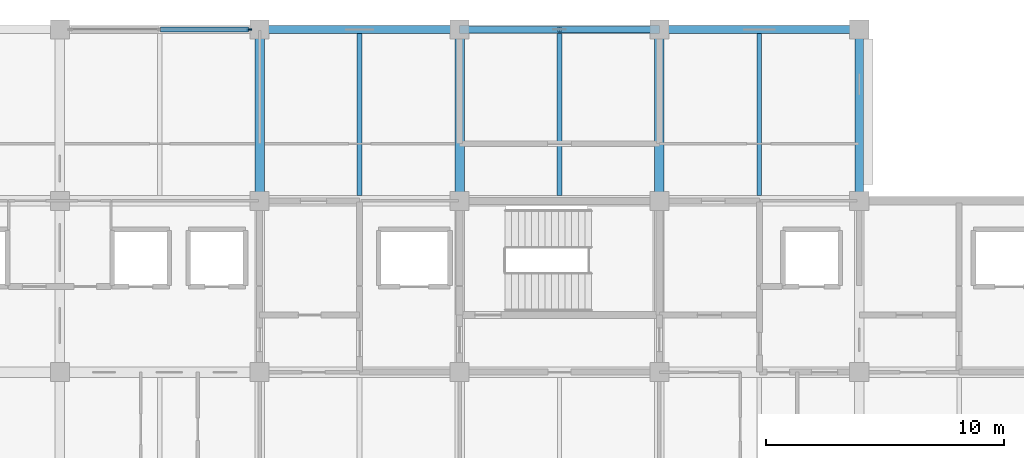
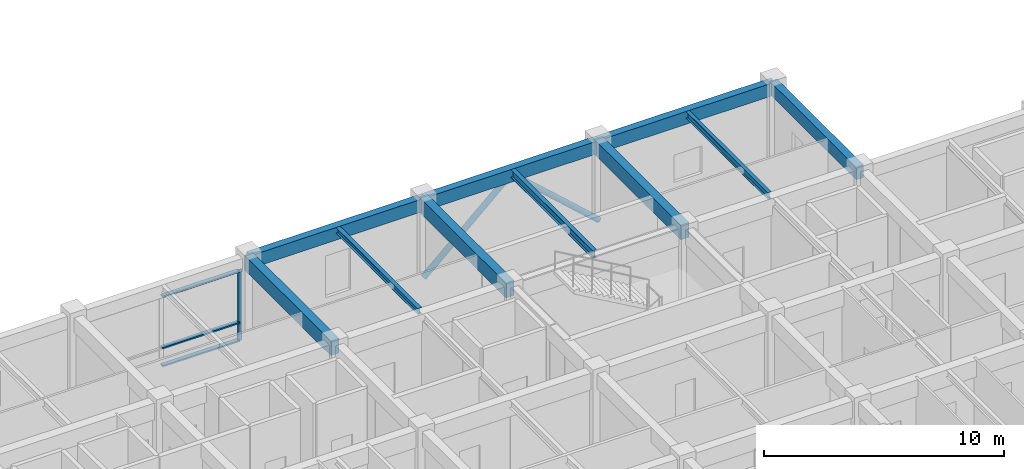
# One storey, part 11 of 30: 10 beams, 6 members, 1 element without a shape of its own.
"""IFC4 building model written with IfcOpenShell, lengths in metres."""

from ifc_helpers import new_model, si_unit, direction, frame, origin, origin_2d, place, context, subcontext, project, spatial, rectangle, hollow_circle, i_section, extrude, material, layer, layer_set, material_profile, profile_set, type_object, element, aggregate, save


model = new_model("IFC4")

# Units and contexts
model_context = context("Model", 3, precision=1e-05, world=origin(), true_north=direction((0.0, 1.0)))
body_context = subcontext(model_context, "Body", "Model", "MODEL_VIEW")
ifc_project = project(units=[si_unit("LENGTHUNIT", "METRE"), si_unit("AREAUNIT", "SQUARE_METRE"), si_unit("VOLUMEUNIT", "CUBIC_METRE"), si_unit("PLANEANGLEUNIT", "RADIAN"), si_unit("MASSUNIT", "GRAM", prefix="KILO")], contexts=[model_context])

# Site, building, storey
site_placement = place(None, origin())
site = spatial("IfcSite", under=ifc_project, at=site_placement, CompositionType="ELEMENT")
building_placement = place(site_placement, origin())
building = spatial("IfcBuilding", under=site, at=building_placement, Name="Chengyuan Square Courthouse", CompositionType="ELEMENT")
storey_placement = place(building_placement, frame((0.0, 0.0, 30.60009765625)))
storey = spatial("IfcBuildingStorey", under=building, at=storey_placement, Name="L07", CompositionType="ELEMENT", Elevation=30.60009765625)

# Beams
ifc_material_1 = material(Name="Concrete C40", Category="concrete")
ifc_material_profile_1 = material_profile(ifc_material_1, rectangle(XDim=0.39990234375, YDim=0.75, at=origin_2d()), Name="RC-BM-400x750")
ifc_profile_set_1 = profile_set([ifc_material_profile_1], Name="Concrete C40")
beam_type_1 = type_object("IfcBeamType", Name="BM-02", PredefinedType="USERDEFINED", material=ifc_profile_set_1)
for number, where, z_axis, x_axis, name in (
    (1, (92.39990234375, 108.0, 3.864990234375), (0.0, 1.0, 0.0), (-1.0, 0.0, 0.0), "Girder BM-L07-3689"),
    (2, (100.800048828125, 108.0, 3.864990234375), (0.0, 1.0, 0.0), (-1.0, 0.0, 0.0), "Girder BM-L07-3694"),
    (3, (109.199951171875, 108.0, 3.864990234375), (0.0, 1.0, 0.0), (-1.0, 0.0, 0.0), "Girder BM-L07-3699"),
):
    element("IfcBeam", number, at=place(storey_placement, frame(where, z_axis=z_axis, x_axis=x_axis)), inside=storey, type_object=beam_type_1, Name=name, ObjectType="GIRDER", PredefinedType="USERDEFINED", context=body_context, shape_type="SweptSolid", body=[
        extrude(rectangle(XDim=0.39990234375, YDim=0.75, at=origin_2d()), origin(), (0.0, 0.0, 1.0), 7.199951171875),
    ])
ifc_material_profile_2 = material_profile(ifc_material_1, rectangle(XDim=0.35009765625, YDim=0.64990234375, at=origin_2d()), Name="RC-BM-350x650")
ifc_profile_set_2 = profile_set([ifc_material_profile_2], Name="Concrete C40")
beam_type_2 = type_object("IfcBeamType", Name="BM-03", PredefinedType="SPANDREL", material=ifc_profile_set_2)
beam_1_placement = place(storey_placement, frame((92.39990234375, 115.199951171875, 3.914794921875), z_axis=(1.0, 0.0, 0.0), x_axis=(0.0, 1.0, 0.0)))
element("IfcBeam", 4, at=beam_1_placement, inside=storey, type_object=beam_type_2, Name="Girder BM-L07-3648", PredefinedType="SPANDREL", context=body_context, shape_type="SweptSolid", body=[
    extrude(rectangle(XDim=0.35009765625, YDim=0.64990234375, at=origin_2d()), origin(), (0.0, 0.0, 1.0), 8.400146484375),
])
beam_2_placement = place(storey_placement, frame((100.800048828125, 115.199951171875, 3.914794921875), z_axis=(1.0, 0.0, 0.0), x_axis=(0.0, 1.0, 0.0)))
element("IfcBeam", 5, at=beam_2_placement, inside=storey, type_object=beam_type_2, Name="Girder BM-L07-3649", PredefinedType="SPANDREL", context=body_context, shape_type="SweptSolid", body=[
    extrude(rectangle(XDim=0.35009765625, YDim=0.64990234375, at=origin_2d()), origin(), (0.0, 0.0, 1.0), 8.39990234375),
])
beam_3_placement = place(storey_placement, frame((109.199951171875, 115.199951171875, 3.914794921875), z_axis=(1.0, 0.0, 0.0), x_axis=(0.0, 1.0, 0.0)))
element("IfcBeam", 6, at=beam_3_placement, inside=storey, type_object=beam_type_2, Name="Girder BM-L07-3650", PredefinedType="SPANDREL", context=body_context, shape_type="SweptSolid", body=[
    extrude(rectangle(XDim=0.35009765625, YDim=0.64990234375, at=origin_2d()), origin(), (0.0, 0.0, 1.0), 8.400146484375),
])
beam_4_placement = place(storey_placement, frame((117.60009765625, 108.0, 3.914794921875), z_axis=(0.0, 1.0, 0.0), x_axis=(-1.0, 0.0, 0.0)))
element("IfcBeam", 7, at=beam_4_placement, inside=storey, type_object=beam_type_2, Name="Girder BM-L07-3704", PredefinedType="SPANDREL", context=body_context, shape_type="SweptSolid", body=[
    extrude(rectangle(XDim=0.35009765625, YDim=0.64990234375, at=origin_2d()), origin(), (0.0, 0.0, 1.0), 7.199951171875),
])
ifc_material_2 = material(Name="Steel Q355B", Category="steel")
ifc_material_profile_3 = material_profile(ifc_material_2, i_section(OverallWidth=0.199951171875, OverallDepth=0.39990234375, WebThickness=0.008056640625, FlangeThickness=0.012939453125, at=origin_2d()), Name="HN 400x200x8x13")
ifc_profile_set_3 = profile_set([ifc_material_profile_3], Name="Steel Q355B")
beam_type_3 = type_object("IfcBeamType", Name="BM-07", PredefinedType="BEAM", material=ifc_profile_set_3)
beam_5_placement = place(storey_placement, frame((105.0, 108.22509765625, 4.039794921875), z_axis=(0.0, 1.0, 0.0), x_axis=(-1.0, 0.0, 0.0)))
element("IfcBeam", 8, at=beam_5_placement, inside=storey, type_object=beam_type_3, Name="Secondary Floor Beam SBM-L07-3751", PredefinedType="BEAM", context=body_context, shape_type="SweptSolid", body=[
    extrude(i_section(OverallWidth=0.199951171875, OverallDepth=0.39990234375, WebThickness=0.008056640625, FlangeThickness=0.012939453125, at=origin_2d()), origin(), (0.0, 0.0, 1.0), 6.7998046875),
])
ifc_material_profile_4 = material_profile(ifc_material_2, i_section(OverallWidth=0.175048828125, OverallDepth=0.35009765625, WebThickness=0.007080078125, FlangeThickness=0.010986328125, at=origin_2d()), Name="HN 350x175x7x11")
ifc_profile_set_4 = profile_set([ifc_material_profile_4], Name="Steel Q355B")
beam_type_4 = type_object("IfcBeamType", Name="BM-08", PredefinedType="BEAM", material=ifc_profile_set_4)
beam_6_placement = place(storey_placement, frame((113.39990234375, 108.22509765625, 4.06494140625), z_axis=(0.0, 1.0, 0.0), x_axis=(-1.0, 0.0, 0.0)))
element("IfcBeam", 9, at=beam_6_placement, inside=storey, type_object=beam_type_4, Name="Secondary Floor Beam SBM-L07-3756", PredefinedType="BEAM", context=body_context, shape_type="SweptSolid", body=[
    extrude(i_section(OverallWidth=0.175048828125, OverallDepth=0.35009765625, WebThickness=0.007080078125, FlangeThickness=0.010986328125, at=origin_2d()), origin(), (0.0, 0.0, 1.0), 6.7998046875),
])
ifc_material_profile_5 = material_profile(ifc_material_2, i_section(OverallWidth=0.199951171875, OverallDepth=0.300048828125, WebThickness=0.008056640625, FlangeThickness=0.011962890625, at=origin_2d()), Name="HM 300x200x8x12")
ifc_profile_set_5 = profile_set([ifc_material_profile_5], Name="Steel Q355B")
beam_type_5 = type_object("IfcBeamType", Name="BM-09", PredefinedType="BEAM", material=ifc_profile_set_5)
beam_7_placement = place(storey_placement, frame((96.60009765625, 108.22509765625, 4.08984375), z_axis=(0.0, 1.0, 0.0), x_axis=(-1.0, 0.0, 0.0)))
element("IfcBeam", 10, at=beam_7_placement, inside=storey, type_object=beam_type_5, Name="Secondary Floor Beam SBM-L07-3748", PredefinedType="BEAM", context=body_context, shape_type="SweptSolid", body=[
    extrude(i_section(OverallWidth=0.199951171875, OverallDepth=0.300048828125, WebThickness=0.008056640625, FlangeThickness=0.011962890625, at=origin_2d()), origin(), (0.0, 0.0, 1.0), 6.7998046875),
])

# Members
ifc_material_profile_6 = material_profile(ifc_material_2, hollow_circle(Radius=0.136474609375, WallThickness=0.010009765625, at=origin_2d()), Name="CHS 273x10")
ifc_profile_set_6 = profile_set([ifc_material_profile_6], Name="Steel Q355B")
member_type_1 = type_object("IfcMemberType", Name="BR-01", PredefinedType="BRACE", material=ifc_profile_set_6)
for number, where, z_axis, x_axis, name in (
    (11, (100.800048828125, 115.199951171875, 0.099853515625), (0.742407252639, 0.0, 0.669948857174), (0.0, 1.0, 0.0), "Steel Chevron Brace BR-L07-027"),
    (12, (109.199951171875, 115.199951171875, 0.099853515625), (-0.742407252639, 0.0, 0.669948857174), (0.0, -1.0, 0.0), "Steel Chevron Brace BR-L07-028"),
):
    element("IfcMember", number, at=place(storey_placement, frame(where, z_axis=z_axis, x_axis=x_axis)), inside=storey, type_object=member_type_1, Name=name, PredefinedType="BRACE", context=body_context, shape_type="SweptSolid", body=[
        extrude(hollow_circle(Radius=0.136474609375, WallThickness=0.010009765625, at=origin_2d()), origin(), (0.0, 0.0, 1.0), 5.6572265625),
    ])

# Curtain wall, members
ifc_material_3 = material(Name="Unitised Aluminium and Triple Low-E Glass", Category="aluminium")
ifc_layer = layer(ifc_material_3, 0.199951171875)
ifc_layer_set = layer_set([ifc_layer], Name="Unitised Aluminium and Triple Low-E Glass")
curtain_wall_type = type_object("IfcCurtainWallType", Name="CW-19", PredefinedType="USERDEFINED", material=ifc_layer_set)
curtain_wall_placement = place(storey_placement, origin())
curtain_wall = element("IfcCurtainWall", 13, at=curtain_wall_placement, inside=storey, type_object=curtain_wall_type, Name="Unitised Curtain Wall CW-L07-213", ObjectType="UNITISED CURTAIN WALL", PredefinedType="USERDEFINED")
ifc_material_4 = material(Name="Aluminium 6063-T6 Frame", Category="aluminium")
ifc_material_profile_7 = material_profile(ifc_material_4, rectangle(XDim=0.070068359375, YDim=0.199951171875, at=origin_2d()), Name="CW-MUL-70x200")
ifc_profile_set_7 = profile_set([ifc_material_profile_7], Name="Aluminium 6063-T6 Frame")
member_type_2 = type_object("IfcMemberType", Name="CWM-03", PredefinedType="MULLION", material=ifc_profile_set_7)
member_1_placement = place(storey_placement, frame((91.965087890625, 115.199951171875, 0.0), z_axis=(0.0, 0.0, 1.0), x_axis=(0.0, 1.0, 0.0)))
member_1 = element("IfcMember", 14, at=member_1_placement, type_object=member_type_2, Name="CW-19 mullion 3", PredefinedType="MULLION", context=body_context, shape_type="SweptSolid", body=[
    extrude(rectangle(XDim=0.070068359375, YDim=0.199951171875, at=origin_2d()), origin(), (0.0, 0.0, 1.0), 3.58984375),
])
ifc_material_profile_8 = material_profile(ifc_material_4, rectangle(XDim=0.199951171875, YDim=0.070068359375, at=origin_2d()), Name="CW-TRN-70x160")
ifc_profile_set_8 = profile_set([ifc_material_profile_8], Name="Aluminium 6063-T6 Frame")
member_type_3 = type_object("IfcMemberType", Name="CWT-03", PredefinedType="USERDEFINED", material=ifc_profile_set_8)
member_2_placement = place(storey_placement, frame((88.235107421875, 115.199951171875, 0.034912109375), z_axis=(1.0, 0.0, 0.0), x_axis=(0.0, 1.0, 0.0)))
member_2 = element("IfcMember", 15, at=member_2_placement, type_object=member_type_3, Name="CW-19 transom 2.1", ObjectType="TRANSOM", PredefinedType="USERDEFINED", context=body_context, shape_type="SweptSolid", body=[
    extrude(rectangle(XDim=0.199951171875, YDim=0.070068359375, at=origin_2d()), origin(), (0.0, 0.0, 1.0), 3.69482421875),
])
member_3_placement = place(storey_placement, frame((88.235107421875, 115.199951171875, 0.949951171875), z_axis=(1.0, 0.0, 0.0), x_axis=(0.0, 1.0, 0.0)))
member_3 = element("IfcMember", 16, at=member_3_placement, type_object=member_type_3, Name="CW-19 transom 2.2", ObjectType="TRANSOM", PredefinedType="USERDEFINED", context=body_context, shape_type="SweptSolid", body=[
    extrude(rectangle(XDim=0.199951171875, YDim=0.070068359375, at=origin_2d()), origin(), (0.0, 0.0, 1.0), 3.69482421875),
])
member_4_placement = place(storey_placement, frame((88.235107421875, 115.199951171875, 3.554931640625), z_axis=(1.0, 0.0, 0.0), x_axis=(0.0, 1.0, 0.0)))
member_4 = element("IfcMember", 17, at=member_4_placement, type_object=member_type_3, Name="CW-19 transom 2.3", ObjectType="TRANSOM", PredefinedType="USERDEFINED", context=body_context, shape_type="SweptSolid", body=[
    extrude(rectangle(XDim=0.199951171875, YDim=0.070068359375, at=origin_2d()), origin(), (0.0, 0.0, 1.0), 3.69482421875),
])
aggregate(curtain_wall, [member_1, member_2, member_3, member_4])

save(model, "model.ifc")
